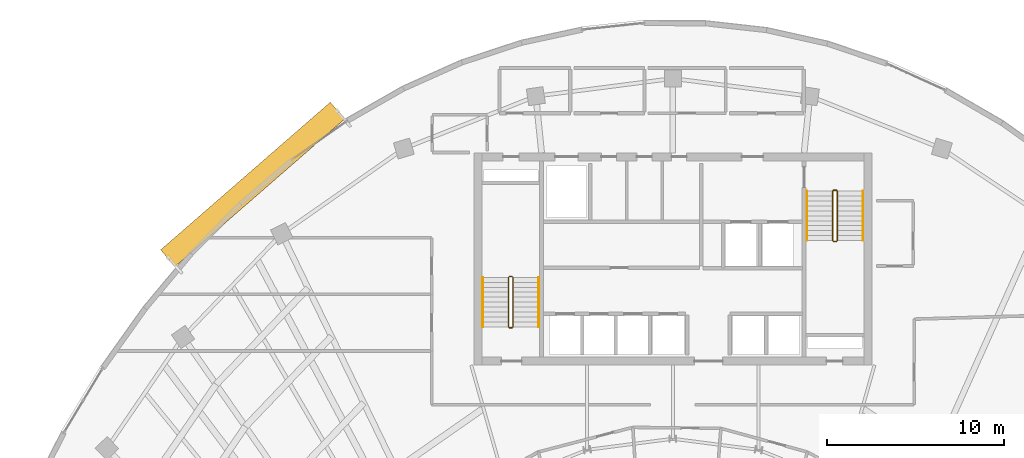
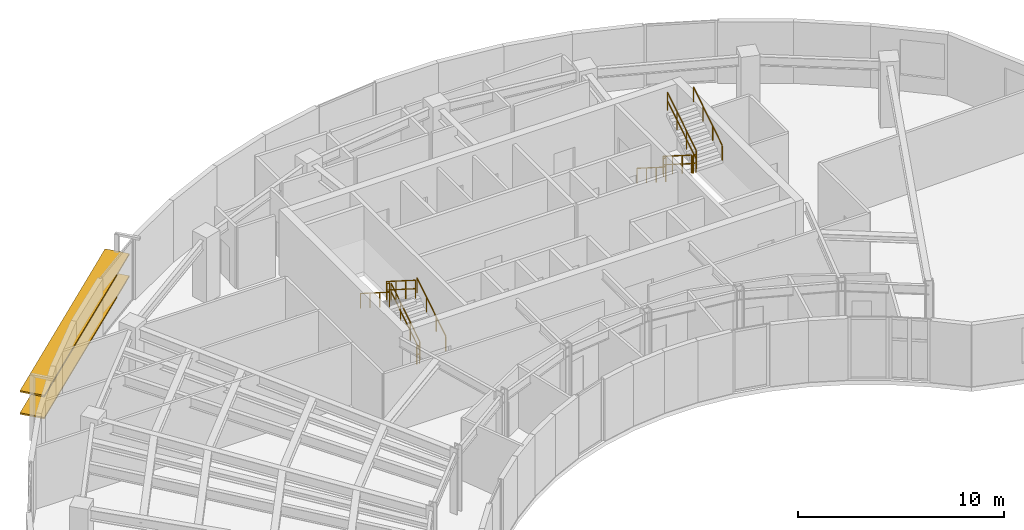
# One storey, part 12 of 12: 12 railings, 2 shading devices.
"""IFC4 building model written with IfcOpenShell, lengths in metres."""

from ifc_helpers import new_model, si_unit, direction, frame, origin, origin_2d, place, context, subcontext, project, spatial, rectangle, extrude, source, transform, mapped, material, material_profile, profile_set, type_object, element, save


model = new_model("IFC4")

# Units and contexts
model_context = context("Model", 3, precision=1e-05, world=origin(), true_north=direction((0.0, 1.0)))
body_context = subcontext(model_context, "Body", "Model", "MODEL_VIEW")
ifc_project = project(units=[si_unit("LENGTHUNIT", "METRE"), si_unit("AREAUNIT", "SQUARE_METRE"), si_unit("VOLUMEUNIT", "CUBIC_METRE"), si_unit("PLANEANGLEUNIT", "RADIAN"), si_unit("MASSUNIT", "GRAM", prefix="KILO")], contexts=[model_context])

# Site, building, storey
site_placement = place(None, origin())
site = spatial("IfcSite", under=ifc_project, at=site_placement, CompositionType="ELEMENT")
building_placement = place(site_placement, origin())
building = spatial("IfcBuilding", under=site, at=building_placement, Name="Breltana Convention Tower", CompositionType="ELEMENT")
storey_placement = place(building_placement, frame((0.0, 0.0, 243.0)))
storey = spatial("IfcBuildingStorey", under=building, at=storey_placement, Name="L59", CompositionType="ELEMENT", Elevation=243.0)

# Railings
ifc_material_1 = material(Name="Steel S275 Painted", Category="steel")
railing_type_1 = type_object("IfcRailingType", Name="RL-STAIR-GUARD-1100", PredefinedType="GUARDRAIL", material=ifc_material_1)
railing_1_placement = place(storey_placement, frame((38.9599609375, 62.360107421875, 0.17724609375)))
element("IfcRailing", 1, at=railing_1_placement, inside=storey, type_object=railing_type_1, Name="L59 ST-1 stair guard 1", PredefinedType="GUARDRAIL", context=body_context, shape_type="SweptSolid", body=[
    extrude(rectangle(XDim=0.048095703125, YDim=0.048095703125, at=origin_2d()), frame((0.0, 0.0, 1.076171875), z_axis=(0.0, 0.844887892834, 0.53494340686), x_axis=(-1.0, 0.0, 0.0)), (0.0, 0.0, 1.0), 3.313720703125),
    extrude(rectangle(XDim=0.048095703125, YDim=0.048095703125, at=origin_2d()), frame((0.0, 0.0, 0.572021484375), z_axis=(0.0, 0.844887892834, 0.53494340686), x_axis=(-1.0, 0.0, 0.0)), (0.0, 0.0, 1.0), 3.313720703125),
    extrude(rectangle(XDim=0.0419921875, YDim=0.0419921875, at=origin_2d()), origin(), (0.0, 0.0, 1.0), 1.052001953125),
    extrude(rectangle(XDim=0.0419921875, YDim=0.0419921875, at=origin_2d()), frame((0.0, 0.933349609375, 0.5908203125)), (0.0, 0.0, 1.0), 1.052001953125),
    extrude(rectangle(XDim=0.0419921875, YDim=0.0419921875, at=origin_2d()), frame((0.0, 1.866455078125, 1.181884765625)), (0.0, 0.0, 1.0), 1.052001953125),
    extrude(rectangle(XDim=0.0419921875, YDim=0.0419921875, at=origin_2d()), frame((0.0, 2.7998046875, 1.772705078125)), (0.0, 0.0, 1.0), 1.052001953125),
])
railing_2_placement = place(storey_placement, frame((38.909912109375, 65.2099609375, 1.949951171875)))
element("IfcRailing", 2, at=railing_2_placement, inside=storey, type_object=railing_type_1, Name="L59 ST-1 stair guard 2", PredefinedType="GUARDRAIL", context=body_context, shape_type="SweptSolid", body=[
    extrude(rectangle(XDim=0.048095703125, YDim=0.048095703125, at=origin_2d()), frame((0.0, 0.0, 1.076171875), z_axis=(-1.0, 0.0, 0.0), x_axis=(0.0, -1.0, 0.0)), (0.0, 0.0, 1.0), 0.14990234375),
    extrude(rectangle(XDim=0.048095703125, YDim=0.048095703125, at=origin_2d()), frame((0.0, 0.0, 0.572021484375), z_axis=(-1.0, 0.0, 0.0), x_axis=(0.0, -1.0, 0.0)), (0.0, 0.0, 1.0), 0.14990234375),
    extrude(rectangle(XDim=0.0419921875, YDim=0.0419921875, at=origin_2d()), origin(), (0.0, 0.0, 1.0), 1.052001953125),
    extrude(rectangle(XDim=0.0419921875, YDim=0.0419921875, at=origin_2d()), frame((-0.14990234375, 0.0, 0.0)), (0.0, 0.0, 1.0), 1.052001953125),
])
railing_3_placement = place(storey_placement, frame((38.7099609375, 65.159912109375, 2.127197265625)))
element("IfcRailing", 3, at=railing_3_placement, inside=storey, type_object=railing_type_1, Name="L59 ST-1 stair guard 3", PredefinedType="GUARDRAIL", context=body_context, shape_type="SweptSolid", body=[
    extrude(rectangle(XDim=0.048095703125, YDim=0.048095703125, at=origin_2d()), frame((0.0, 0.0, 1.076171875), z_axis=(0.0, -0.844887892834, 0.53494340686), x_axis=(1.0, 0.0, 0.0)), (0.0, 0.0, 1.0), 3.313720703125),
    extrude(rectangle(XDim=0.048095703125, YDim=0.048095703125, at=origin_2d()), frame((0.0, 0.0, 0.572021484375), z_axis=(0.0, -0.844887892834, 0.53494340686), x_axis=(1.0, 0.0, 0.0)), (0.0, 0.0, 1.0), 3.313720703125),
    extrude(rectangle(XDim=0.0419921875, YDim=0.0419921875, at=origin_2d()), origin(), (0.0, 0.0, 1.0), 1.052001953125),
    extrude(rectangle(XDim=0.0419921875, YDim=0.0419921875, at=origin_2d()), frame((0.0, -0.933349609375, 0.5908203125)), (0.0, 0.0, 1.0), 1.052001953125),
    extrude(rectangle(XDim=0.0419921875, YDim=0.0419921875, at=origin_2d()), frame((0.0, -1.866455078125, 1.181884765625)), (0.0, 0.0, 1.0), 1.052001953125),
    extrude(rectangle(XDim=0.0419921875, YDim=0.0419921875, at=origin_2d()), frame((0.0, -2.7998046875, 1.772705078125)), (0.0, 0.0, 1.0), 1.052001953125),
])
railing_4_placement = place(storey_placement, frame((38.909912109375, 62.31005859375, 0.0)))
element("IfcRailing", 4, at=railing_4_placement, inside=storey, type_object=railing_type_1, Name="L59 ST-1 stair guard 4", PredefinedType="GUARDRAIL", context=body_context, shape_type="SweptSolid", body=[
    extrude(rectangle(XDim=0.048095703125, YDim=0.048095703125, at=origin_2d()), frame((0.0, 0.0, 1.076171875), z_axis=(-1.0, 0.0, 0.0), x_axis=(0.0, -1.0, 0.0)), (0.0, 0.0, 1.0), 0.14990234375),
    extrude(rectangle(XDim=0.048095703125, YDim=0.048095703125, at=origin_2d()), frame((0.0, 0.0, 0.572021484375), z_axis=(-1.0, 0.0, 0.0), x_axis=(0.0, -1.0, 0.0)), (0.0, 0.0, 1.0), 0.14990234375),
    extrude(rectangle(XDim=0.0419921875, YDim=0.0419921875, at=origin_2d()), origin(), (0.0, 0.0, 1.0), 1.052001953125),
    extrude(rectangle(XDim=0.0419921875, YDim=0.0419921875, at=origin_2d()), frame((-0.14990234375, 0.0, 0.0)), (0.0, 0.0, 1.0), 1.052001953125),
])
railing_5_placement = place(storey_placement, frame((57.0400390625, 70.0400390625, 0.17724609375)))
element("IfcRailing", 5, at=railing_5_placement, inside=storey, type_object=railing_type_1, Name="L59 ST-2 stair guard 1", PredefinedType="GUARDRAIL", context=body_context, shape_type="SweptSolid", body=[
    extrude(rectangle(XDim=0.048095703125, YDim=0.048095703125, at=origin_2d()), frame((0.0, 0.0, 1.076171875), z_axis=(0.0, -0.844908973607, 0.534910110503), x_axis=(1.0, 0.0, 0.0)), (0.0, 0.0, 1.0), 3.31396484375),
    extrude(rectangle(XDim=0.048095703125, YDim=0.048095703125, at=origin_2d()), frame((0.0, 0.0, 0.572021484375), z_axis=(0.0, -0.844908973607, 0.534910110503), x_axis=(1.0, 0.0, 0.0)), (0.0, 0.0, 1.0), 3.31396484375),
    extrude(rectangle(XDim=0.0419921875, YDim=0.0419921875, at=origin_2d()), origin(), (0.0, 0.0, 1.0), 1.052001953125),
    extrude(rectangle(XDim=0.0419921875, YDim=0.0419921875, at=origin_2d()), frame((0.0, -0.933349609375, 0.5908203125)), (0.0, 0.0, 1.0), 1.052001953125),
    extrude(rectangle(XDim=0.0419921875, YDim=0.0419921875, at=origin_2d()), frame((0.0, -1.86669921875, 1.181884765625)), (0.0, 0.0, 1.0), 1.052001953125),
    extrude(rectangle(XDim=0.0419921875, YDim=0.0419921875, at=origin_2d()), frame((0.0, -2.800048828125, 1.772705078125)), (0.0, 0.0, 1.0), 1.052001953125),
])
railing_6_placement = place(storey_placement, frame((57.090087890625, 67.18994140625, 1.949951171875)))
element("IfcRailing", 6, at=railing_6_placement, inside=storey, type_object=railing_type_1, Name="L59 ST-2 stair guard 2", PredefinedType="GUARDRAIL", context=body_context, shape_type="SweptSolid", body=[
    extrude(rectangle(XDim=0.048095703125, YDim=0.048095703125, at=origin_2d()), frame((0.0, 0.0, 1.076171875), z_axis=(1.0, 0.0, 0.0), x_axis=(0.0, 1.0, 0.0)), (0.0, 0.0, 1.0), 0.14990234375),
    extrude(rectangle(XDim=0.048095703125, YDim=0.048095703125, at=origin_2d()), frame((0.0, 0.0, 0.572021484375), z_axis=(1.0, 0.0, 0.0), x_axis=(0.0, 1.0, 0.0)), (0.0, 0.0, 1.0), 0.14990234375),
    extrude(rectangle(XDim=0.0419921875, YDim=0.0419921875, at=origin_2d()), origin(), (0.0, 0.0, 1.0), 1.052001953125),
    extrude(rectangle(XDim=0.0419921875, YDim=0.0419921875, at=origin_2d()), frame((0.14990234375, 0.0, 0.0)), (0.0, 0.0, 1.0), 1.052001953125),
])
railing_7_placement = place(storey_placement, frame((57.2900390625, 67.239990234375, 2.127197265625)))
element("IfcRailing", 7, at=railing_7_placement, inside=storey, type_object=railing_type_1, Name="L59 ST-2 stair guard 3", PredefinedType="GUARDRAIL", context=body_context, shape_type="SweptSolid", body=[
    extrude(rectangle(XDim=0.048095703125, YDim=0.048095703125, at=origin_2d()), frame((0.0, 0.0, 1.076171875), z_axis=(0.0, 0.844908973607, 0.534910110503), x_axis=(-1.0, 0.0, 0.0)), (0.0, 0.0, 1.0), 3.31396484375),
    extrude(rectangle(XDim=0.048095703125, YDim=0.048095703125, at=origin_2d()), frame((0.0, 0.0, 0.572021484375), z_axis=(0.0, 0.844908973607, 0.534910110503), x_axis=(-1.0, 0.0, 0.0)), (0.0, 0.0, 1.0), 3.31396484375),
    extrude(rectangle(XDim=0.0419921875, YDim=0.0419921875, at=origin_2d()), origin(), (0.0, 0.0, 1.0), 1.052001953125),
    extrude(rectangle(XDim=0.0419921875, YDim=0.0419921875, at=origin_2d()), frame((0.0, 0.933349609375, 0.5908203125)), (0.0, 0.0, 1.0), 1.052001953125),
    extrude(rectangle(XDim=0.0419921875, YDim=0.0419921875, at=origin_2d()), frame((0.0, 1.86669921875, 1.181884765625)), (0.0, 0.0, 1.0), 1.052001953125),
    extrude(rectangle(XDim=0.0419921875, YDim=0.0419921875, at=origin_2d()), frame((0.0, 2.800048828125, 1.772705078125)), (0.0, 0.0, 1.0), 1.052001953125),
])
railing_8_placement = place(storey_placement, frame((57.090087890625, 70.090087890625, 0.0)))
element("IfcRailing", 8, at=railing_8_placement, inside=storey, type_object=railing_type_1, Name="L59 ST-2 stair guard 4", PredefinedType="GUARDRAIL", context=body_context, shape_type="SweptSolid", body=[
    extrude(rectangle(XDim=0.048095703125, YDim=0.048095703125, at=origin_2d()), frame((0.0, 0.0, 1.076171875), z_axis=(1.0, 0.0, 0.0), x_axis=(0.0, 1.0, 0.0)), (0.0, 0.0, 1.0), 0.14990234375),
    extrude(rectangle(XDim=0.048095703125, YDim=0.048095703125, at=origin_2d()), frame((0.0, 0.0, 0.572021484375), z_axis=(1.0, 0.0, 0.0), x_axis=(0.0, 1.0, 0.0)), (0.0, 0.0, 1.0), 0.14990234375),
    extrude(rectangle(XDim=0.0419921875, YDim=0.0419921875, at=origin_2d()), origin(), (0.0, 0.0, 1.0), 1.052001953125),
    extrude(rectangle(XDim=0.0419921875, YDim=0.0419921875, at=origin_2d()), frame((0.14990234375, 0.0, 0.0)), (0.0, 0.0, 1.0), 1.052001953125),
])
ifc_material_2 = material(Name="Stainless Steel 316L", Category="steel")
railing_type_2 = type_object("IfcRailingType", Name="RL-STAIR-HANDRAIL-900", PredefinedType="HANDRAIL", material=ifc_material_2)
railing_9_placement = place(storey_placement, frame((40.419921875, 62.360107421875, 0.17724609375)))
element("IfcRailing", 9, at=railing_9_placement, inside=storey, type_object=railing_type_2, Name="L59 ST-1 stair handrail 1", PredefinedType="HANDRAIL", context=body_context, shape_type="SweptSolid", body=[
    extrude(rectangle(XDim=0.048095703125, YDim=0.048095703125, at=origin_2d()), frame((0.0, 0.0, 0.8759765625), z_axis=(0.0, 0.844887892834, 0.53494340686), x_axis=(-1.0, 0.0, 0.0)), (0.0, 0.0, 1.0), 3.313720703125),
    extrude(rectangle(XDim=0.0419921875, YDim=0.0419921875, at=origin_2d()), origin(), (0.0, 0.0, 1.0), 0.851806640625),
    extrude(rectangle(XDim=0.0419921875, YDim=0.0419921875, at=origin_2d()), frame((0.0, 0.933349609375, 0.5908203125)), (0.0, 0.0, 1.0), 0.851806640625),
    extrude(rectangle(XDim=0.0419921875, YDim=0.0419921875, at=origin_2d()), frame((0.0, 1.866455078125, 1.181884765625)), (0.0, 0.0, 1.0), 0.851806640625),
    extrude(rectangle(XDim=0.0419921875, YDim=0.0419921875, at=origin_2d()), frame((0.0, 2.7998046875, 1.772705078125)), (0.0, 0.0, 1.0), 0.851806640625),
])
railing_10_placement = place(storey_placement, frame((37.25, 65.159912109375, 2.127197265625)))
element("IfcRailing", 10, at=railing_10_placement, inside=storey, type_object=railing_type_2, Name="L59 ST-1 stair handrail 2", PredefinedType="HANDRAIL", context=body_context, shape_type="SweptSolid", body=[
    extrude(rectangle(XDim=0.048095703125, YDim=0.048095703125, at=origin_2d()), frame((0.0, 0.0, 0.8759765625), z_axis=(0.0, -0.844887892834, 0.53494340686), x_axis=(1.0, 0.0, 0.0)), (0.0, 0.0, 1.0), 3.313720703125),
    extrude(rectangle(XDim=0.0419921875, YDim=0.0419921875, at=origin_2d()), origin(), (0.0, 0.0, 1.0), 0.851806640625),
    extrude(rectangle(XDim=0.0419921875, YDim=0.0419921875, at=origin_2d()), frame((0.0, -0.933349609375, 0.5908203125)), (0.0, 0.0, 1.0), 0.851806640625),
    extrude(rectangle(XDim=0.0419921875, YDim=0.0419921875, at=origin_2d()), frame((0.0, -1.866455078125, 1.181884765625)), (0.0, 0.0, 1.0), 0.851806640625),
    extrude(rectangle(XDim=0.0419921875, YDim=0.0419921875, at=origin_2d()), frame((0.0, -2.7998046875, 1.772705078125)), (0.0, 0.0, 1.0), 0.851806640625),
])
railing_11_placement = place(storey_placement, frame((55.580078125, 70.0400390625, 0.17724609375)))
element("IfcRailing", 11, at=railing_11_placement, inside=storey, type_object=railing_type_2, Name="L59 ST-2 stair handrail 1", PredefinedType="HANDRAIL", context=body_context, shape_type="SweptSolid", body=[
    extrude(rectangle(XDim=0.048095703125, YDim=0.048095703125, at=origin_2d()), frame((0.0, 0.0, 0.8759765625), z_axis=(0.0, -0.844908973607, 0.534910110503), x_axis=(1.0, 0.0, 0.0)), (0.0, 0.0, 1.0), 3.31396484375),
    extrude(rectangle(XDim=0.0419921875, YDim=0.0419921875, at=origin_2d()), origin(), (0.0, 0.0, 1.0), 0.851806640625),
    extrude(rectangle(XDim=0.0419921875, YDim=0.0419921875, at=origin_2d()), frame((0.0, -0.933349609375, 0.5908203125)), (0.0, 0.0, 1.0), 0.851806640625),
    extrude(rectangle(XDim=0.0419921875, YDim=0.0419921875, at=origin_2d()), frame((0.0, -1.86669921875, 1.181884765625)), (0.0, 0.0, 1.0), 0.851806640625),
    extrude(rectangle(XDim=0.0419921875, YDim=0.0419921875, at=origin_2d()), frame((0.0, -2.800048828125, 1.772705078125)), (0.0, 0.0, 1.0), 0.851806640625),
])
railing_12_placement = place(storey_placement, frame((58.75, 67.239990234375, 2.127197265625)))
element("IfcRailing", 12, at=railing_12_placement, inside=storey, type_object=railing_type_2, Name="L59 ST-2 stair handrail 2", PredefinedType="HANDRAIL", context=body_context, shape_type="SweptSolid", body=[
    extrude(rectangle(XDim=0.048095703125, YDim=0.048095703125, at=origin_2d()), frame((0.0, 0.0, 0.8759765625), z_axis=(0.0, 0.844908973607, 0.534910110503), x_axis=(-1.0, 0.0, 0.0)), (0.0, 0.0, 1.0), 3.31396484375),
    extrude(rectangle(XDim=0.0419921875, YDim=0.0419921875, at=origin_2d()), origin(), (0.0, 0.0, 1.0), 0.851806640625),
    extrude(rectangle(XDim=0.0419921875, YDim=0.0419921875, at=origin_2d()), frame((0.0, 0.933349609375, 0.5908203125)), (0.0, 0.0, 1.0), 0.851806640625),
    extrude(rectangle(XDim=0.0419921875, YDim=0.0419921875, at=origin_2d()), frame((0.0, 1.86669921875, 1.181884765625)), (0.0, 0.0, 1.0), 0.851806640625),
    extrude(rectangle(XDim=0.0419921875, YDim=0.0419921875, at=origin_2d()), frame((0.0, 2.800048828125, 1.772705078125)), (0.0, 0.0, 1.0), 0.851806640625),
])

# Shading devices
ifc_material_3 = material(Name="Limestone Warm Buff Honed", Category="masonry")
ifc_material_profile = material_profile(ifc_material_3, rectangle(XDim=1.25, YDim=0.090087890625, at=origin_2d()), Name="STN-LVR-1250X90")
ifc_profile_set = profile_set([ifc_material_profile], Name="Limestone Warm Buff Honed")
shading_device_type = type_object("IfcShadingDeviceType", Name="SHD-OUTER-SKIN-LIMESTONE-1250", PredefinedType="JALOUSIE", material=ifc_profile_set)
shared_shape = source(origin(), body_context, "Body", "SweptSolid", [
    extrude(rectangle(XDim=1.25, YDim=0.090087890625, at=origin_2d()), origin(), (0.0, 0.0, 1.0), 12.716064453125),
])
for number, where, z_axis, x_axis, name in (
    (13, (19.4482421875, 66.243408203125, 1.31396484375), (0.754376904049, 0.656441533298, 0.0), (-0.656441533298, 0.754376904049, 0.0), "L59 outer skin warm limestone louvre 1.1"),
    (14, (19.4482421875, 66.243408203125, 2.6279296875), (0.754376904049, 0.656441533298, 0.0), (-0.656441533298, 0.754376904049, 0.0), "L59 outer skin warm limestone louvre 1.2"),
):
    element("IfcShadingDevice", number, at=place(storey_placement, frame(where, z_axis=z_axis, x_axis=x_axis)), inside=storey, type_object=shading_device_type, Name=name, PredefinedType="JALOUSIE", context=body_context, shape_type="MappedRepresentation", body=[
        mapped(shared_shape, transform((0.0, 0.0, 0.0), scale=1.0)),
    ])

save(model, "model.ifc")
